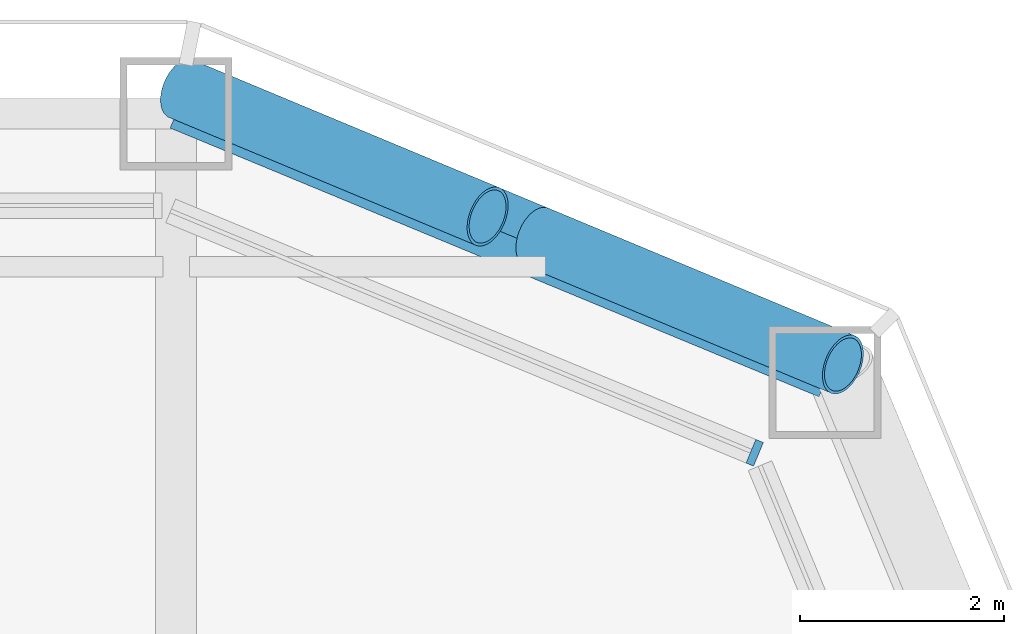
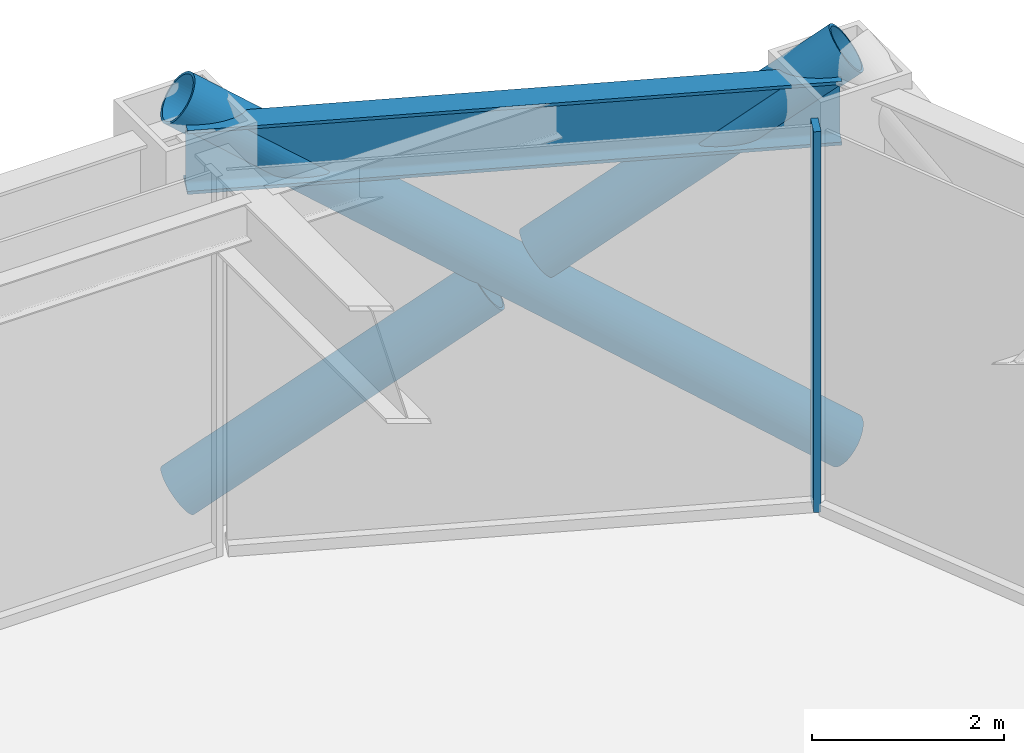
# One storey, part 10 of 24: 4 members, 1 beam, 1 element without a shape of its own.
"""IFC4 building model written with IfcOpenShell, lengths in metres."""

import ifcopenshell
import ifcopenshell.guid

model = None  # the IFC model being written
_history = None  # IfcOwnerHistory: only IFC2X3 demands one
_inside = {}  # id of a spatial element -> (the spatial element, [elements in it])
_under = {}  # id of a project, library or spatial element -> (it, [spatial elements below it])
_declared = {}  # id of a project -> (the project, [libraries it declares])
_typed = {}  # id of a type object -> (the type object, [elements of that type])
_made_of = {}  # id of a material, layer set ... -> (it, [elements and type objects made of it])


def new_model(schema):
    """Start an empty IFC model of exactly this schema.

    Asked for "IFC4X3", IfcOpenShell would pick the latest addendum, in which some entities
    have other attributes; the version numbers below select the first issue.
    IFC2X3 requires an IfcOwnerHistory on every rooted entity: one is made here for all.
    """
    global model, _history
    if schema == "IFC4X3":
        model = ifcopenshell.file(schema_version=(4, 3, 0, 0))
    else:
        model = ifcopenshell.file(schema=schema)
    _inside.clear()
    _under.clear()
    _declared.clear()
    _typed.clear()
    _made_of.clear()
    _history = None
    if model.schema == "IFC2X3":
        org = make("IfcOrganization", Name="unknown")
        user = make(
            "IfcPersonAndOrganization",
            ThePerson=make("IfcPerson", FamilyName="unknown"),
            TheOrganization=org,
        )
        app = make(
            "IfcApplication",
            ApplicationDeveloper=org,
            Version="unknown",
            ApplicationFullName="unknown",
            ApplicationIdentifier="unknown",
        )
        _history = make(
            "IfcOwnerHistory",
            OwningUser=user,
            OwningApplication=app,
            ChangeAction="ADDED",
            CreationDate=0,
        )
    return model


def make(cls, **values):
    """One entity of the class cls with the attributes given. An attribute that is None is left unset."""
    return model.create_entity(
        cls, **{name: value for name, value in values.items() if value is not None}
    )


def rooted(cls, **values):
    """An entity with a GlobalId (a new one), such as an element, a storey or a relation."""
    return make(cls, GlobalId=ifcopenshell.guid.new(), OwnerHistory=_history, **values)


def si_unit(unit_type, name, prefix=None):
    """IfcSIUnit, for example si_unit("LENGTHUNIT", "METRE", prefix="MILLI")."""
    return make("IfcSIUnit", UnitType=unit_type, Prefix=prefix, Name=name)


def assignment(units):
    """IfcUnitAssignment: the units of a project."""
    return None if units is None else make("IfcUnitAssignment", Units=units)


def point(xyz):
    """IfcCartesianPoint."""
    return None if xyz is None else make("IfcCartesianPoint", Coordinates=xyz)


def direction(xyz):
    """IfcDirection."""
    return None if xyz is None else make("IfcDirection", DirectionRatios=xyz)


def frame(location, z_axis=None, x_axis=None):
    """IfcAxis2Placement3D, a coordinate frame: its origin and axes. An axis left out is left unset."""
    return make(
        "IfcAxis2Placement3D",
        Location=point(location),
        Axis=direction(z_axis),
        RefDirection=direction(x_axis),
    )


def frame_2d(location, x_axis=None):
    """IfcAxis2Placement2D, a coordinate frame in the plane: its origin and x axis."""
    return make(
        "IfcAxis2Placement2D", Location=point(location), RefDirection=direction(x_axis)
    )


def origin():
    """The frame at (0, 0, 0) with its axes left unset."""
    return frame((0.0, 0.0, 0.0))


def origin_2d():
    """The frame at (0, 0) in the plane with its x axis left unset."""
    return frame_2d((0.0, 0.0))


def place(relative_to, where):
    """IfcLocalPlacement: puts the frame where relative to a parent placement (None: the world)."""
    return make(
        "IfcLocalPlacement", PlacementRelTo=relative_to, RelativePlacement=where
    )


def context(
    kind, dimensions, precision=None, world=None, true_north=None, identifier=None
):
    """IfcGeometricRepresentationContext, for example the 3D "Model" context."""
    return make(
        "IfcGeometricRepresentationContext",
        ContextIdentifier=identifier,
        ContextType=kind,
        CoordinateSpaceDimension=dimensions,
        Precision=precision,
        WorldCoordinateSystem=world,
        TrueNorth=true_north,
    )


def subcontext(parent, identifier, kind, view, scale=None):
    """IfcGeometricRepresentationSubContext, for example "Body" below "Model"."""
    return make(
        "IfcGeometricRepresentationSubContext",
        ContextIdentifier=identifier,
        ContextType=kind,
        ParentContext=parent,
        TargetScale=scale,
        TargetView=view,
    )


def project(units=None, contexts=None):
    """IfcProject with its units and contexts."""
    return rooted(
        "IfcProject",
        Name="project",
        RepresentationContexts=contexts,
        UnitsInContext=assignment(units),
    )


def spatial(cls, under=None, at=None, **own):
    """A site, building, storey or space (cls), placed at a placement, below another one or the project."""
    s = rooted(cls, ObjectPlacement=at, **own)
    if under is not None:
        _under.setdefault(under.id(), (under, []))[1].append(s)
    return s


def profile(cls, at=None, kind="AREA", **sizes):
    """A parametric profile (cls). Its sizes go by their IFC names, for example OverallWidth=200.0."""
    return make(cls, ProfileType=kind, Position=at, **sizes)


def rectangle(**sizes):
    """IfcRectangleProfileDef."""
    return profile("IfcRectangleProfileDef", **sizes)


def hollow_circle(**sizes):
    """IfcCircleHollowProfileDef."""
    return profile("IfcCircleHollowProfileDef", **sizes)


def i_section(**sizes):
    """IfcIShapeProfileDef."""
    return profile("IfcIShapeProfileDef", **sizes)


def extrude(swept, where, along, depth):
    """IfcExtrudedAreaSolid: the profile swept, set in the frame where, extruded along a direction by depth."""
    return make(
        "IfcExtrudedAreaSolid",
        SweptArea=swept,
        Position=where,
        ExtrudedDirection=direction(along),
        Depth=depth,
    )


def shape(context_of_items, identifier, shape_type, items):
    """IfcShapeRepresentation: the items that make up one representation, for example the "Body"."""
    return make(
        "IfcShapeRepresentation",
        ContextOfItems=context_of_items,
        RepresentationIdentifier=identifier,
        RepresentationType=shape_type,
        Items=items,
    )


def material(Name=None, Category=None):
    """IfcMaterial."""
    return make("IfcMaterial", Name=Name, Category=Category)


def layer(
    of_material, thickness, ventilated=None, Name=None, Category=None, Priority=None
):
    """IfcMaterialLayer: one layer of a wall or slab, of a material (None: an air gap)."""
    return make(
        "IfcMaterialLayer",
        Material=of_material,
        LayerThickness=thickness,
        IsVentilated=ventilated,
        Name=Name,
        Category=Category,
        Priority=Priority,
    )


def layer_set(layers, Name=None):
    """IfcMaterialLayerSet."""
    return make("IfcMaterialLayerSet", MaterialLayers=layers, LayerSetName=Name)


def material_profile(
    of_material, cross_section, Name=None, Category=None, Priority=None
):
    """IfcMaterialProfile: a cross section and its material."""
    return make(
        "IfcMaterialProfile",
        Name=Name,
        Material=of_material,
        Profile=cross_section,
        Priority=Priority,
        Category=Category,
    )


def profile_set(profiles, Name=None, composite=None):
    """IfcMaterialProfileSet."""
    return make(
        "IfcMaterialProfileSet",
        Name=Name,
        MaterialProfiles=profiles,
        CompositeProfile=composite,
    )


def made_of(thing, what):
    """Note that an element or type object is made of a material, layer set ...; save() writes the relation."""
    if what is not None:
        _made_of.setdefault(what.id(), (what, []))[1].append(thing)
    return thing


def type_object(cls, material=None, **own):
    """A type object (cls), such as IfcWallType, which elements share."""
    return made_of(rooted(cls, **own), material)


def element(
    cls,
    number,
    at=None,
    inside=None,
    cuts=None,
    type_object=None,
    material=None,
    context=None,
    identifier="Body",
    shape_type=None,
    held_by="IfcProductDefinitionShape",
    body=None,
    shapes=None,
    **own,
):
    """One element of the class cls, such as IfcWall. Its Tag is "e" and its number.

    at: its placement. inside: the storey or other place that contains it. cuts: it is an
    opening in that element (IfcRelVoidsElement). A single representation is given by context,
    identifier, shape_type and body (its items); several are given by shapes. held_by: the class
    of the entity that holds the representations. save() writes the other relations.
    """
    e = rooted(cls, Tag="e%d" % number, ObjectPlacement=at, **own)
    if body is not None:
        shapes = [shape(context, identifier, shape_type, body)]
    if shapes is not None:
        e.Representation = make(held_by, Representations=shapes)
    if inside is not None:
        _inside.setdefault(inside.id(), (inside, []))[1].append(e)
    if cuts is not None:
        rooted(
            "IfcRelVoidsElement", RelatingBuildingElement=cuts, RelatedOpeningElement=e
        )
    if type_object is not None:
        _typed.setdefault(type_object.id(), (type_object, []))[1].append(e)
    return made_of(e, material)


def aggregate(whole, parts):
    """IfcRelAggregates: a whole, such as a stair, and the parts it consists of."""
    return rooted("IfcRelAggregates", RelatingObject=whole, RelatedObjects=parts)


def save(model, path):
    """Write the relations noted so far, then the file.

    IfcRelAggregates (storeys below a building ...), IfcRelContainedInSpatialStructure (elements
    in a storey), IfcRelDefinesByType, IfcRelAssociatesMaterial and IfcRelDeclares: one each for
    every whole, place, type object, material and project.
    """
    for whole, parts in _under.values():
        aggregate(whole, parts)
    for where, things in _inside.values():
        rooted(
            "IfcRelContainedInSpatialStructure",
            RelatedElements=things,
            RelatingStructure=where,
        )
    for kind, things in _typed.values():
        rooted("IfcRelDefinesByType", RelatedObjects=things, RelatingType=kind)
    for what, things in _made_of.values():
        rooted("IfcRelAssociatesMaterial", RelatedObjects=things, RelatingMaterial=what)
    for by, libraries in _declared.values():
        rooted("IfcRelDeclares", RelatingContext=by, RelatedDefinitions=libraries)
    model.write(path)


model = new_model("IFC4")

# Units and contexts
model_context = context("Model", 3, precision=1e-05, world=origin(), true_north=direction((0.0, 1.0)))
body_context = subcontext(model_context, "Body", "Model", "MODEL_VIEW")
ifc_project = project(units=[si_unit("LENGTHUNIT", "METRE"), si_unit("AREAUNIT", "SQUARE_METRE"), si_unit("VOLUMEUNIT", "CUBIC_METRE"), si_unit("PLANEANGLEUNIT", "RADIAN"), si_unit("MASSUNIT", "GRAM", prefix="KILO")], contexts=[model_context])

# Site, building, storey
site_placement = place(None, origin())
site = spatial("IfcSite", under=ifc_project, at=site_placement, CompositionType="ELEMENT")
building_placement = place(site_placement, origin())
building = spatial("IfcBuilding", under=site, at=building_placement, Name="Siwar Civic Tower", CompositionType="ELEMENT")
storey_placement = place(building_placement, frame((0.0, 0.0, 12.199951171875)))
storey = spatial("IfcBuildingStorey", under=building, at=storey_placement, Name="L02", CompositionType="ELEMENT", Elevation=12.199951171875)

# Curtain wall, member
ifc_material_1 = material(Name="Aluminium clad insulated panel", Category="aluminium")
ifc_layer = layer(ifc_material_1, 0.25)
ifc_layer_set = layer_set([ifc_layer], Name="Aluminium clad insulated panel")
curtain_wall_type = type_object("IfcCurtainWallType", Name="ENV-CW-HX", PredefinedType="NOTDEFINED", material=ifc_layer_set)
curtain_wall_placement = place(storey_placement, origin())
curtain_wall = element("IfcCurtainWall", 1, at=curtain_wall_placement, inside=storey, type_object=curtain_wall_type, Name="Curtain wall H NE2", PredefinedType="NOTDEFINED")
ifc_material_2 = material(Name="Aluminium 6063-T6", Category="aluminium")
ifc_material_profile_1 = material_profile(ifc_material_2, rectangle(XDim=0.25, YDim=0.080078125, at=origin_2d()), Name="AL 250x80")
ifc_profile_set_1 = profile_set([ifc_material_profile_1], Name="Aluminium 6063-T6")
member_type_1 = type_object("IfcMemberType", Name="ENV-MULLION-H", PredefinedType="MULLION", material=ifc_profile_set_1)
member_1_placement = place(storey_placement, frame((28.175048828125, 28.175048828125, 0.0), z_axis=(0.0, 0.0, 1.0), x_axis=(-0.382683432365, -0.923879532511, 0.0)))
member_1 = element("IfcMember", 2, at=member_1_placement, type_object=member_type_1, Name="Mullion H NE2 1", PredefinedType="MULLION", context=body_context, shape_type="SweptSolid", body=[
    extrude(rectangle(XDim=0.25, YDim=0.080078125, at=origin_2d()), origin(), (0.0, 0.0, 1.0), 4.85009765625),
])
aggregate(curtain_wall, [member_1])

# Members
ifc_material_3 = material(Name="Steel S355", Category="steel")
ifc_material_profile_2 = material_profile(ifc_material_3, hollow_circle(Radius=0.304931640625, WallThickness=0.030029296875, at=origin_2d()), Name="CHS610x30")
ifc_profile_set_2 = profile_set([ifc_material_profile_2], Name="Steel S355")
member_type_2 = type_object("IfcMemberType", Name="STR-BR-CHS610x30", PredefinedType="BRACE", material=ifc_profile_set_2)
member_2_placement = place(storey_placement, frame((29.040771484375, 29.040771484375, 0.0), z_axis=(-0.752344350468, 0.313403721941, 0.579444635312), x_axis=(-0.384538969033, -0.923108759191, 0.0)))
element("IfcMember", 3, at=member_2_placement, inside=storey, type_object=member_type_2, Name="L02/brc/ANE1-1-0-1", PredefinedType="BRACE", context=body_context, shape_type="SweptSolid", body=[
    extrude(hollow_circle(Radius=0.304931640625, WallThickness=0.030029296875, at=origin_2d()), origin(), (0.0, 0.0, 1.0), 8.62890625),
])
for number, where, z_axis, x_axis, name in (
    (4, (22.548828125, 31.7451171875, 0.0), (0.752340560323, -0.313373422739, 0.5794659431), (0.384508939914, 0.923121267833, 0.0), "L02/brc/ANE1-1-0-2"),
    (5, (26.033935546875, 30.293212890625, 2.684326171875), (0.752367191316, -0.313384515382, 0.57942536616), (0.384508939914, 0.923121267833, 0.0), "L02/brc/ANE1-1-0-3"),
):
    element("IfcMember", number, at=place(storey_placement, frame(where, z_axis=z_axis, x_axis=x_axis)), inside=storey, type_object=member_type_2, Name=name, PredefinedType="BRACE", context=body_context, shape_type="SweptSolid", body=[
        extrude(hollow_circle(Radius=0.304931640625, WallThickness=0.030029296875, at=origin_2d()), origin(), (0.0, 0.0, 1.0), 3.99658203125),
    ])

# Beam
ifc_material_4 = material(Name="Steel S355", Category="steel")
ifc_material_profile_3 = material_profile(ifc_material_4, i_section(OverallWidth=0.302978515625, OverallDepth=0.81396484375, WebThickness=0.02099609375, FlangeThickness=0.0400390625, FilletRadius=0.030029296875, at=origin_2d()), Name="HEM800")
ifc_profile_set_3 = profile_set([ifc_material_profile_3], Name="Steel S355")
beam_type = type_object("IfcBeamType", Name="STR-SB-HEM800", PredefinedType="BEAM", material=ifc_profile_set_3)
beam_placement = place(storey_placement, frame((28.864013671875, 28.864013671875, 4.443115234375), z_axis=(-0.923883353507, 0.382674207535, 0.0), x_axis=(-0.382674207535, -0.923883353507, 0.0)))
element("IfcBeam", 6, at=beam_placement, inside=storey, type_object=beam_type, Name="L02/bm/SNE2-0", PredefinedType="BEAM", context=body_context, shape_type="SweptSolid", body=[
    extrude(i_section(OverallWidth=0.302978515625, OverallDepth=0.81396484375, WebThickness=0.02099609375, FlangeThickness=0.0400390625, FilletRadius=0.030029296875, at=origin_2d()), origin(), (0.0, 0.0, 1.0), 6.888427734375),
])

save(model, "model.ifc")
